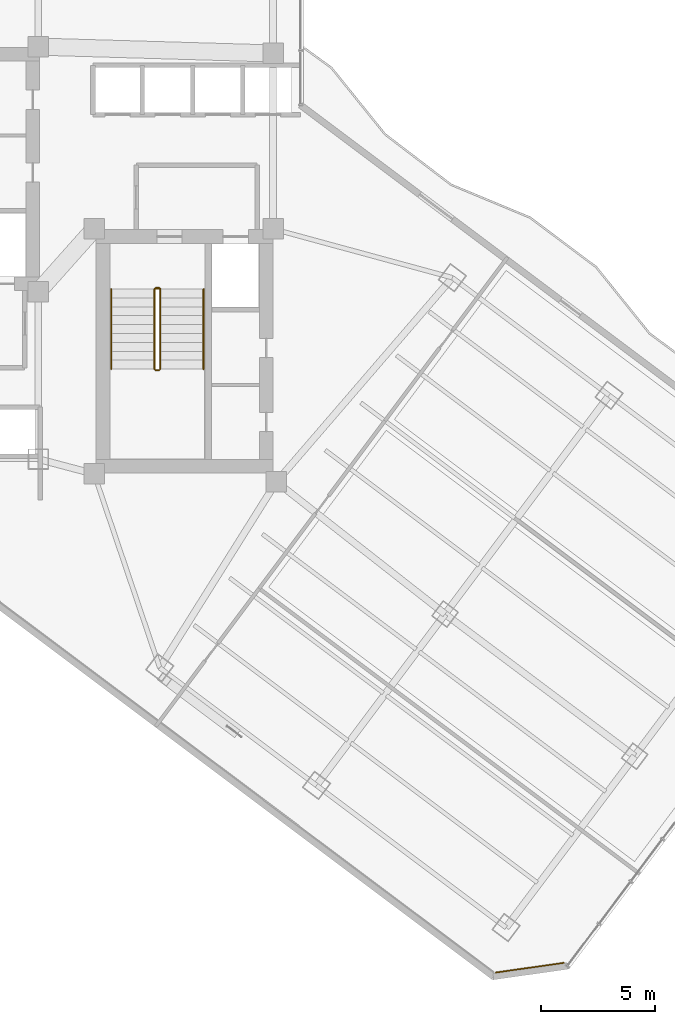
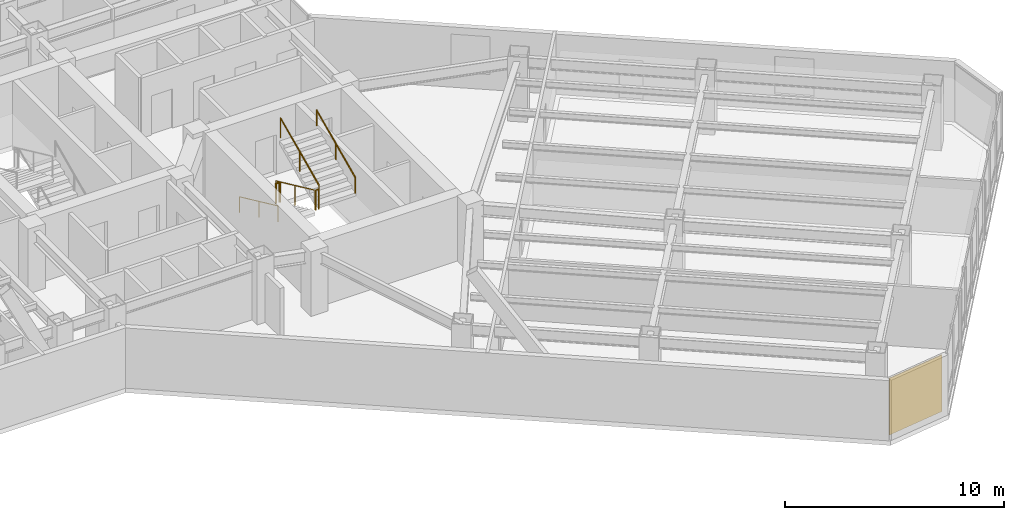
# One storey, part 27 of 30: 7 railings, 1 covering.
"""IFC4 building model written with IfcOpenShell, lengths in metres."""

from ifc_helpers import new_model, si_unit, direction, frame, origin, origin_2d, place, context, subcontext, project, spatial, rectangle, circle, extrude, material, layer, layer_set, type_object, element, save


model = new_model("IFC4")

# Units and contexts
model_context = context("Model", 3, precision=1e-05, world=origin(), true_north=direction((0.0, 1.0)))
body_context = subcontext(model_context, "Body", "Model", "MODEL_VIEW")
ifc_project = project(units=[si_unit("LENGTHUNIT", "METRE"), si_unit("AREAUNIT", "SQUARE_METRE"), si_unit("VOLUMEUNIT", "CUBIC_METRE"), si_unit("PLANEANGLEUNIT", "RADIAN"), si_unit("MASSUNIT", "GRAM", prefix="KILO")], contexts=[model_context])

# Site, building, storey
site_placement = place(None, origin())
site = spatial("IfcSite", under=ifc_project, at=site_placement, CompositionType="ELEMENT")
building_placement = place(site_placement, origin())
building = spatial("IfcBuilding", under=site, at=building_placement, Name="Hatsunagi Terrace Concourse", CompositionType="ELEMENT")
storey_placement = place(building_placement, frame((0.0, 0.0, 101.25)))
storey = spatial("IfcBuildingStorey", under=building, at=storey_placement, Name="L26", CompositionType="ELEMENT", Elevation=101.25)

# Railings
ifc_material_1 = material(Name="Stainless steel", Category="steel")
ifc_layer_1 = layer(ifc_material_1, 0.044921875)
ifc_layer_set_1 = layer_set([ifc_layer_1], Name="StairPitchHandrail_Tower2000")
railing_type_1 = type_object("IfcRailingType", Name="StairPitchHandrail_Tower2000", PredefinedType="HANDRAIL", material=ifc_layer_set_1)
railing_1_placement = place(storey_placement, frame((36.550048828125, 32.659912109375, 0.179931640625)))
element("IfcRailing", 1, at=railing_1_placement, inside=storey, type_object=railing_type_1, Name="L26 ST-B stair handrail 1", PredefinedType="HANDRAIL", context=body_context, shape_type="SweptSolid", body=[
    extrude(circle(Radius=0.02392578125, at=origin_2d()), frame((0.0, 0.0, 0.8759765625), z_axis=(0.0, -0.907948293929, 0.419082206198), x_axis=(1.0, 0.0, 0.0)), (0.0, 0.0, 1.0), 3.865966796875),
    extrude(circle(Radius=0.02099609375, at=origin_2d()), origin(), (0.0, 0.0, 1.0), 0.851806640625),
    extrude(circle(Radius=0.02099609375, at=origin_2d()), frame((0.0, -1.7548828125, 0.81005859375)), (0.0, 0.0, 1.0), 0.851806640625),
    extrude(circle(Radius=0.02099609375, at=origin_2d()), frame((0.0, -3.510009765625, 1.6201171875)), (0.0, 0.0, 1.0), 0.851806640625),
])
railing_2_placement = place(storey_placement, frame((40.60009765625, 29.14990234375, 1.97998046875)))
element("IfcRailing", 2, at=railing_2_placement, inside=storey, type_object=railing_type_1, Name="L26 ST-B stair handrail 2", PredefinedType="HANDRAIL", context=body_context, shape_type="SweptSolid", body=[
    extrude(circle(Radius=0.02392578125, at=origin_2d()), frame((0.0, 0.0, 0.8759765625), z_axis=(0.0, 0.907948293929, 0.419082206198), x_axis=(-1.0, 0.0, 0.0)), (0.0, 0.0, 1.0), 3.865966796875),
    extrude(circle(Radius=0.02099609375, at=origin_2d()), origin(), (0.0, 0.0, 1.0), 0.851806640625),
    extrude(circle(Radius=0.02099609375, at=origin_2d()), frame((0.0, 1.7548828125, 0.81005859375)), (0.0, 0.0, 1.0), 0.851806640625),
    extrude(circle(Radius=0.02099609375, at=origin_2d()), frame((0.0, 3.510009765625, 1.6201171875)), (0.0, 0.0, 1.0), 0.851806640625),
])
ifc_material_2 = material(Name="Stainless steel", Category="steel")
ifc_layer_2 = layer(ifc_material_2, 0.06005859375)
ifc_layer_set_2 = layer_set([ifc_layer_2], Name="StairWellGuard_Tower2000")
railing_type_2 = type_object("IfcRailingType", Name="StairWellGuard_Tower2000", PredefinedType="BALUSTRADE", material=ifc_layer_set_2)
railing_3_placement = place(storey_placement, frame((38.449951171875, 32.659912109375, 0.179931640625)))
element("IfcRailing", 3, at=railing_3_placement, inside=storey, type_object=railing_type_2, Name="L26 ST-B stair guard 1", PredefinedType="BALUSTRADE", context=body_context, shape_type="SweptSolid", body=[
    extrude(circle(Radius=0.02392578125, at=origin_2d()), frame((0.0, 0.0, 1.09619140625), z_axis=(0.0, -0.907948293929, 0.419082206198), x_axis=(1.0, 0.0, 0.0)), (0.0, 0.0, 1.0), 3.865966796875),
    extrude(circle(Radius=0.02099609375, at=origin_2d()), origin(), (0.0, 0.0, 1.0), 1.072021484375),
    extrude(circle(Radius=0.02099609375, at=origin_2d()), frame((0.0, -1.7548828125, 0.81005859375)), (0.0, 0.0, 1.0), 1.072021484375),
    extrude(circle(Radius=0.02099609375, at=origin_2d()), frame((0.0, -3.510009765625, 1.6201171875)), (0.0, 0.0, 1.0), 1.072021484375),
])
railing_4_placement = place(storey_placement, frame((38.5, 29.10009765625, 1.800048828125)))
element("IfcRailing", 4, at=railing_4_placement, inside=storey, type_object=railing_type_2, Name="L26 ST-B stair guard 2", PredefinedType="BALUSTRADE", context=body_context, shape_type="SweptSolid", body=[
    extrude(circle(Radius=0.02392578125, at=origin_2d()), frame((0.0, 0.0, 1.09619140625), z_axis=(1.0, 0.0, 0.0), x_axis=(0.0, 1.0, 0.0)), (0.0, 0.0, 1.0), 0.14990234375),
    extrude(circle(Radius=0.02099609375, at=origin_2d()), origin(), (0.0, 0.0, 1.0), 1.072021484375),
    extrude(circle(Radius=0.02099609375, at=origin_2d()), frame((0.14990234375, 0.0, 0.0)), (0.0, 0.0, 1.0), 1.072021484375),
])
railing_5_placement = place(storey_placement, frame((38.699951171875, 29.14990234375, 1.97998046875)))
element("IfcRailing", 5, at=railing_5_placement, inside=storey, type_object=railing_type_2, Name="L26 ST-B stair guard 3", PredefinedType="BALUSTRADE", context=body_context, shape_type="SweptSolid", body=[
    extrude(circle(Radius=0.02392578125, at=origin_2d()), frame((0.0, 0.0, 1.09619140625), z_axis=(0.0, 0.907948293929, 0.419082206198), x_axis=(-1.0, 0.0, 0.0)), (0.0, 0.0, 1.0), 3.865966796875),
    extrude(circle(Radius=0.02099609375, at=origin_2d()), origin(), (0.0, 0.0, 1.0), 1.072021484375),
    extrude(circle(Radius=0.02099609375, at=origin_2d()), frame((0.0, 1.7548828125, 0.81005859375)), (0.0, 0.0, 1.0), 1.072021484375),
    extrude(circle(Radius=0.02099609375, at=origin_2d()), frame((0.0, 3.510009765625, 1.6201171875)), (0.0, 0.0, 1.0), 1.072021484375),
])
railing_6_placement = place(storey_placement, frame((38.5, 32.7099609375, 0.0)))
element("IfcRailing", 6, at=railing_6_placement, inside=storey, type_object=railing_type_2, Name="L26 ST-B stair guard 4", PredefinedType="BALUSTRADE", context=body_context, shape_type="SweptSolid", body=[
    extrude(circle(Radius=0.02392578125, at=origin_2d()), frame((0.0, 0.0, 1.09619140625), z_axis=(1.0, 0.0, 0.0), x_axis=(0.0, 1.0, 0.0)), (0.0, 0.0, 1.0), 0.14990234375),
    extrude(circle(Radius=0.02099609375, at=origin_2d()), origin(), (0.0, 0.0, 1.0), 1.072021484375),
    extrude(circle(Radius=0.02099609375, at=origin_2d()), frame((0.14990234375, 0.0, 0.0)), (0.0, 0.0, 1.0), 1.072021484375),
])
ifc_material_3 = material(Name="Stainless Steel SUS316 Post-and-Rail Guard", Category="steel")
ifc_layer_3 = layer(ifc_material_3, 0.080078125)
ifc_layer_set_3 = layer_set([ifc_layer_3], Name="TerracePlantedGuardRail_1200")
railing_type_3 = type_object("IfcRailingType", Name="TerracePlantedGuardRail_1200", PredefinedType="GUARDRAIL", material=ifc_layer_set_3)
railing_7_placement = place(storey_placement, frame((38.449951171875, 32.679931640625, 0.0)))
element("IfcRailing", 7, at=railing_7_placement, inside=storey, type_object=railing_type_3, Name="Stair ST-B Well Closure Guard L26", PredefinedType="GUARDRAIL", context=body_context, shape_type="SweptSolid", body=[
    extrude(circle(Radius=0.02392578125, at=origin_2d()), frame((0.0, 0.0, 1.09619140625), z_axis=(1.0, 0.0, 0.0), x_axis=(0.0, 1.0, 0.0)), (0.0, 0.0, 1.0), 0.25),
    extrude(circle(Radius=0.02099609375, at=origin_2d()), origin(), (0.0, 0.0, 1.0), 1.072021484375),
    extrude(circle(Radius=0.02099609375, at=origin_2d()), frame((0.25, 0.0, 0.0)), (0.0, 0.0, 1.0), 1.072021484375),
])

# Covering
ifc_material_4 = material(Name="Unglazed Warm Terracotta Rainscreen Tile", Category="masonry")
ifc_layer_4 = layer(ifc_material_4, 0.044921875)
ifc_layer_set_4 = layer_set([ifc_layer_4], Name="TerracottaRainscreenCladding_45")
covering_type = type_object("IfcCoveringType", Name="TerracottaRainscreenCladding_45", PredefinedType="CLADDING", material=ifc_layer_set_4)
covering_placement = place(storey_placement, frame((54.91796875, 2.87890625, 0.10009765625), z_axis=(0.0, 0.0, 1.0), x_axis=(-0.989973920543, -0.141250262458, 0.0)))
element("IfcCovering", 8, at=covering_placement, inside=storey, type_object=covering_type, Name="Terracotta Rainscreen Cladding L26-04", PredefinedType="CLADDING", context=body_context, shape_type="SweptSolid", body=[
    extrude(rectangle(XDim=3.0380859375, YDim=0.044921875, at=origin_2d()), origin(), (0.0, 0.0, 1.0), 3.14990234375),
])

save(model, "model.ifc")
